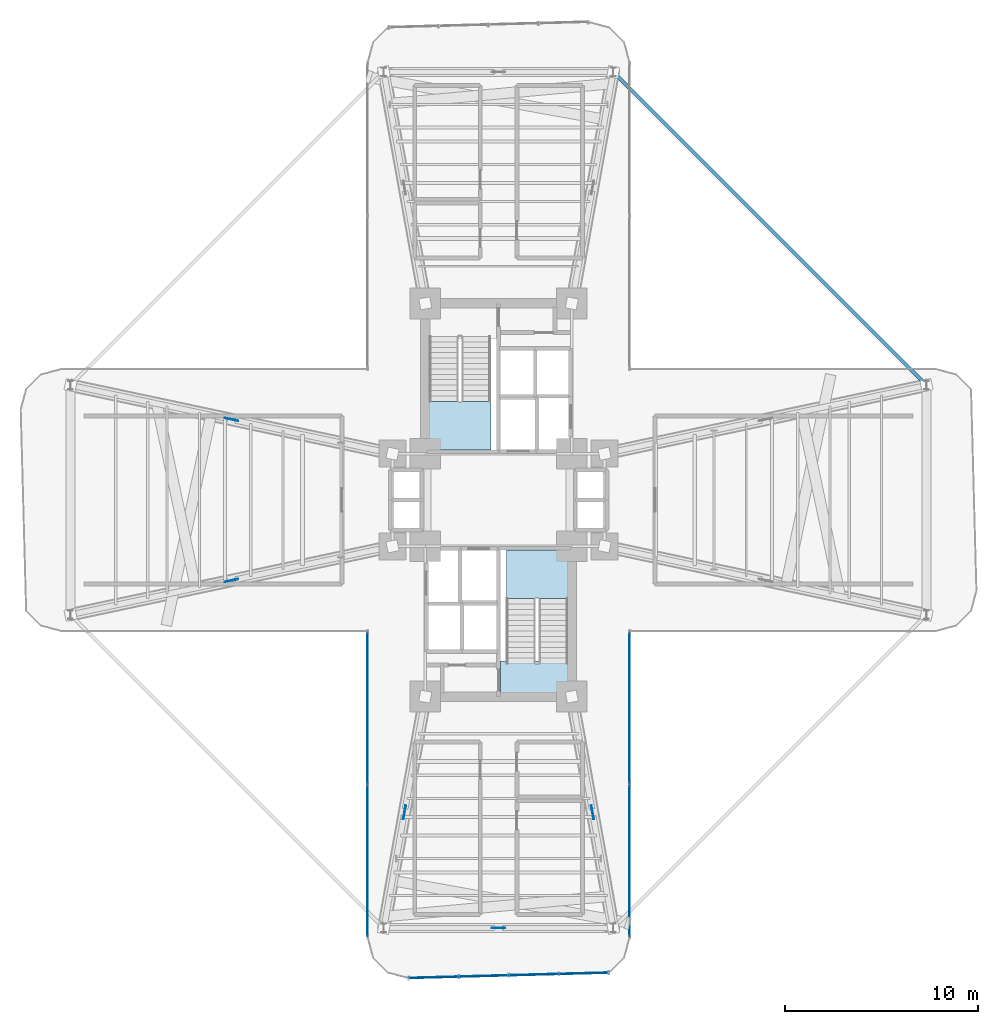
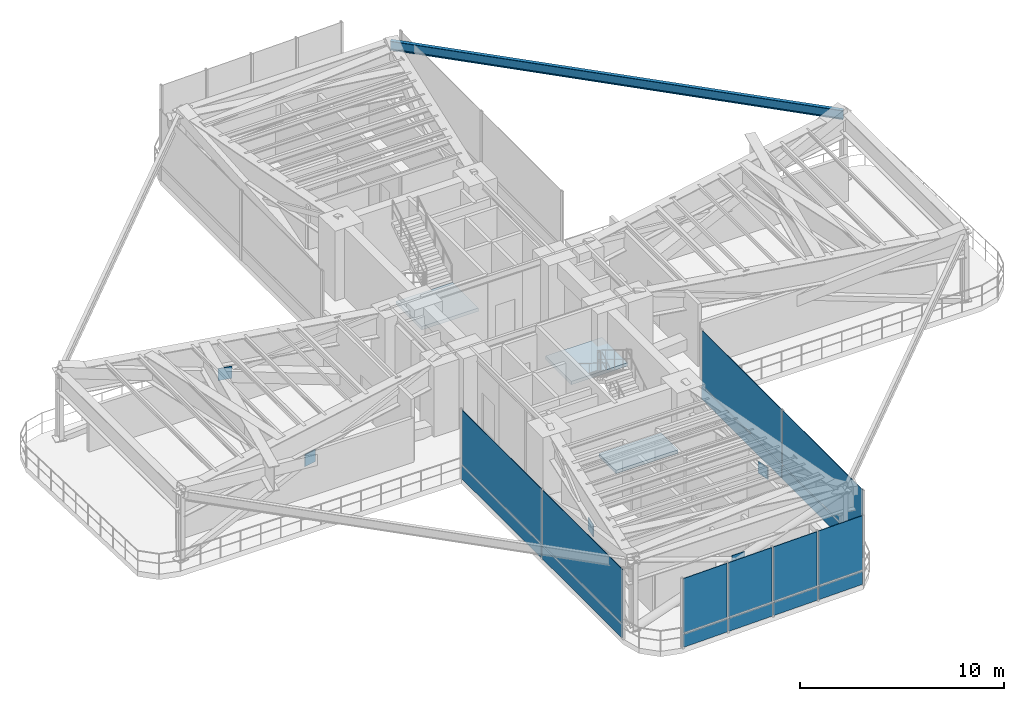
# One storey, part 9 of 18: 21 plates, 3 slabs, 1 beam, 5 elements without a shape of their own.
"""IFC4 building model written with IfcOpenShell, lengths in metres."""

from ifc_helpers import new_model, si_unit, direction, frame, origin, origin_2d, place, context, subcontext, project, spatial, polyline, rectangle, i_section, outline, extrude, source, transform, mapped, material, layer, layer_set, material_profile, profile_set, type_object, element, aggregate, save


model = new_model("IFC4")

# Units and contexts
model_context = context("Model", 3, precision=1e-05, world=origin(), true_north=direction((0.0, 1.0)))
body_context = subcontext(model_context, "Body", "Model", "MODEL_VIEW")
ifc_project = project(units=[si_unit("LENGTHUNIT", "METRE"), si_unit("AREAUNIT", "SQUARE_METRE"), si_unit("VOLUMEUNIT", "CUBIC_METRE"), si_unit("PLANEANGLEUNIT", "RADIAN"), si_unit("MASSUNIT", "GRAM", prefix="KILO")], contexts=[model_context])

# Site, building, storey
site_placement = place(None, origin())
site = spatial("IfcSite", under=ifc_project, at=site_placement, CompositionType="ELEMENT")
building_placement = place(site_placement, origin())
building = spatial("IfcBuilding", under=site, at=building_placement, Name="Sahyath Konkavel Grand Hotel", CompositionType="ELEMENT")
storey_placement = place(building_placement, frame((0.0, 0.0, 74.5)))
storey = spatial("IfcBuildingStorey", under=building, at=storey_placement, Name="L20", CompositionType="ELEMENT", Elevation=74.5)

# Beam
ifc_material_1 = material(Name="Steel E350", Category="steel")
ifc_material_profile = material_profile(ifc_material_1, i_section(OverallWidth=0.18994140625, OverallDepth=0.550048828125, WebThickness=0.01123046875, FlangeThickness=0.019287109375, FilletRadius=0.01806640625, at=origin_2d()), Name="ISMB 550")
ifc_profile_set = profile_set([ifc_material_profile], Name="Steel E350")
beam_type = type_object("IfcBeamType", Name="BM-ISMB550", PredefinedType="BEAM", material=ifc_profile_set)
shared_shape_1 = source(origin(), body_context, "Body", "SweptSolid", [
    extrude(i_section(OverallWidth=0.18994140625, OverallDepth=0.550048828125, WebThickness=0.01123046875, FlangeThickness=0.019287109375, FilletRadius=0.01806640625, at=origin_2d()), origin(), (0.0, 0.0, 1.0), 22.98095703125),
])
beam_placement = place(storey_placement, frame((22.199951171875, 5.949951171875, 3.905029296875), z_axis=(-0.707106781187, 0.707106781187, 0.0), x_axis=(-0.707106781187, -0.707106781187, 0.0)))
element("IfcBeam", 1, at=beam_placement, inside=storey, type_object=beam_type, Name="L20 Re-Entrant Tie Beam NE", PredefinedType="BEAM", context=body_context, shape_type="MappedRepresentation", body=[
    mapped(shared_shape_1, transform((0.0, 0.0, 0.0), scale=1.0)),
])

# Stair, slab
ifc_material_2 = material(Name="Concrete C40/50", Category="concrete")
stair_type = type_object("IfcStairType", Name="STR-ST16-450", PredefinedType="HALF_TURN_STAIR", material=ifc_material_2)
stair_1_placement = place(storey_placement, origin())
stair_1 = element("IfcStair", 2, at=stair_1_placement, inside=storey, type_object=stair_type, Name="L20 North Core Smokeproof Exit Stair ST-1", PredefinedType="HALF_TURN_STAIR")
ifc_layer_1 = layer(ifc_material_2, 0.199951171875)
ifc_layer_set_1 = layer_set([ifc_layer_1], Name="Concrete C40/50")
slab_type = type_object("IfcSlabType", Name="SLB-STAIR-LND", PredefinedType="LANDING", material=ifc_layer_set_1)
slab_1_placement = place(storey_placement, frame((0.0, 0.0, 2.050048828125)))
slab_1 = element("IfcSlab", 3, at=slab_1_placement, type_object=slab_type, Name="ST-1 landing 1", PredefinedType="LANDING", context=body_context, shape_type="SweptSolid", body=[
    extrude(outline(polyline([(-3.60009765625, 5.1201171875), (-3.60009765625, 2.60009765625), (-0.39990234375, 2.60009765625), (-0.39990234375, 5.1201171875), (-3.60009765625, 5.1201171875)])), origin(), (0.0, 0.0, 1.0), 0.199951171875),
])
aggregate(stair_1, [slab_1])

stair_2_placement = place(storey_placement, origin())
stair_2 = element("IfcStair", 4, at=stair_2_placement, inside=storey, type_object=stair_type, Name="L20 South Core Smokeproof Exit Stair ST-2", PredefinedType="HALF_TURN_STAIR")
slab_2_placement = place(storey_placement, frame((0.0, 0.0, 2.050048828125)))
slab_2 = element("IfcSlab", 5, at=slab_2_placement, type_object=slab_type, Name="ST-2 landing 1", PredefinedType="LANDING", context=body_context, shape_type="SweptSolid", body=[
    extrude(outline(polyline([(3.60009765625, -5.1201171875), (3.60009765625, -2.60009765625), (0.39990234375, -2.60009765625), (0.39990234375, -5.1201171875), (3.60009765625, -5.1201171875)])), origin(), (0.0, 0.0, 1.0), 0.199951171875),
])
aggregate(stair_2, [slab_2])

# Slab
slab_3_placement = place(storey_placement, frame((0.0, 0.0, -0.199951171875)))
element("IfcSlab", 6, at=slab_3_placement, inside=storey, type_object=slab_type, Name="L20 Stair ST-2 Floor Landing Slab", PredefinedType="LANDING", context=body_context, shape_type="SweptSolid", body=[
    extrude(outline(polyline([(0.10009765625, -10.02001953125), (3.6201171875, -10.02001953125), (3.6201171875, -8.35009765625), (0.10009765625, -8.35009765625), (0.10009765625, -10.02001953125)])), origin(), (0.0, 0.0, 1.0), 0.199951171875),
])

# Plates
ifc_material_3 = material(Name="Steel E450", Category="steel")
plate_type_1 = type_object("IfcPlateType", Name="GUSSET-NODE-40", PredefinedType="USERDEFINED", material=ifc_material_3)
shared_shape_2 = source(origin(), body_context, "Body", "SweptSolid", [
    extrude(rectangle(XDim=0.719970703125, YDim=0.0400390625, at=origin_2d()), origin(), (0.0, 0.0, 1.0), 0.719970703125),
])
for number, where, z_axis, x_axis, name in (
    (7, (-13.85009765625, 4.175048828125, 1.72998046875), (0.0, 0.0, 1.0), (-0.978143971841, 0.207928762682, 0.0), "L20 Core Outrigger Truss WA X-Crossing Node Gusset Plate"),
    (8, (-13.85009765625, -4.175048828125, 1.72998046875), (0.0, 0.0, 1.0), (-0.978143971841, -0.207928762682, 0.0), "L20 Core Outrigger Truss WB X-Crossing Node Gusset Plate"),
    (9, (-4.875, -16.199951171875, 1.72998046875), (0.0, 0.0, 1.0), (-0.176363239745, -0.984325153426, 0.0), "L20 Core Outrigger Truss SA X-Crossing Node Gusset Plate"),
    (10, (4.875, -16.199951171875, 1.72998046875), (0.0, 0.0, 1.0), (0.176363239745, -0.984325153426, 0.0), "L20 Core Outrigger Truss SB X-Crossing Node Gusset Plate"),
    (11, (0.0, -22.199951171875, 1.72998046875), (0.0, 0.0, 1.0), (1.0, 0.0, 0.0), "L20 Perimeter Belt Truss TIP-S X-Crossing Node Gusset Plate"),
):
    element("IfcPlate", number, at=place(storey_placement, frame(where, z_axis=z_axis, x_axis=x_axis)), inside=storey, type_object=plate_type_1, Name=name, ObjectType="GUSSET_PLATE", PredefinedType="USERDEFINED", context=body_context, shape_type="MappedRepresentation", body=[
        mapped(shared_shape_2, transform((0.0, 0.0, 0.0), scale=1.0)),
    ])

# Curtain wall, plates
ifc_material_4 = material(Name="Anodised Bronze Aluminium & Low-E Glazing", Category="aluminium")
curtain_wall_type = type_object("IfcCurtainWallType", Name="CW-SKYLOBBY", PredefinedType="NOTDEFINED", material=ifc_material_4)
curtain_wall_1_placement = place(storey_placement, origin())
curtain_wall_1 = element("IfcCurtainWall", 12, at=curtain_wall_1_placement, inside=storey, type_object=curtain_wall_type, Name="L20 Unitised Curtain Wall RF24", PredefinedType="NOTDEFINED")
ifc_material_5 = material(Name="Warm Buff Sandstone Cladding", Category="masonry")
ifc_layer_2 = layer(ifc_material_5, 0.074951171875)
ifc_layer_set_2 = layer_set([ifc_layer_2], Name="Warm Buff Sandstone Cladding")
plate_type_2 = type_object("IfcPlateType", Name="PNL-SPANDREL-STONE", PredefinedType="SHEET", material=ifc_layer_set_2)
shared_shape_3 = source(origin(), body_context, "Body", "SweptSolid", [
    extrude(rectangle(XDim=7.830078125, YDim=0.074951171875, at=origin_2d()), origin(), (0.0, 0.0, 1.0), 0.77001953125),
])
plate_1_placement = place(storey_placement, frame((-6.800048828125, -10.794921875, 0.0400390625), z_axis=(0.0, 0.0, 1.0), x_axis=(0.0, -1.0, 0.0)))
plate_1 = element("IfcPlate", 13, at=plate_1_placement, type_object=plate_type_2, Name="L20 Sandstone Relief Spandrel Panel RF24-0", PredefinedType="SHEET", context=body_context, shape_type="MappedRepresentation", body=[
    mapped(shared_shape_3, transform((0.0, 0.0, 0.0), scale=1.0)),
])
plate_2_placement = place(storey_placement, frame((-6.800048828125, -18.705078125, 0.0400390625), z_axis=(0.0, 0.0, 1.0), x_axis=(0.0, -1.0, 0.0)))
plate_2 = element("IfcPlate", 14, at=plate_2_placement, type_object=plate_type_2, Name="L20 Sandstone Relief Spandrel Panel RF24-1", PredefinedType="SHEET", context=body_context, shape_type="MappedRepresentation", body=[
    mapped(shared_shape_3, transform((0.0, 0.0, 0.0), scale=1.0)),
])

curtain_wall_2_placement = place(storey_placement, origin())
curtain_wall_2 = element("IfcCurtainWall", 15, at=curtain_wall_2_placement, inside=storey, type_object=curtain_wall_type, Name="L20 Unitised Curtain Wall RF31", PredefinedType="NOTDEFINED")
plate_3_placement = place(storey_placement, frame((6.800048828125, -18.705078125, 0.0400390625), z_axis=(0.0, 0.0, 1.0), x_axis=(0.0, 1.0, 0.0)))
plate_3 = element("IfcPlate", 16, at=plate_3_placement, type_object=plate_type_2, Name="L20 Sandstone Relief Spandrel Panel RF31-0", PredefinedType="SHEET", context=body_context, shape_type="MappedRepresentation", body=[
    mapped(shared_shape_3, transform((0.0, 0.0, 0.0), scale=1.0)),
])
plate_4_placement = place(storey_placement, frame((6.800048828125, -10.794921875, 0.0400390625), z_axis=(0.0, 0.0, 1.0), x_axis=(0.0, 1.0, 0.0)))
plate_4 = element("IfcPlate", 17, at=plate_4_placement, type_object=plate_type_2, Name="L20 Sandstone Relief Spandrel Panel RF31-1", PredefinedType="SHEET", context=body_context, shape_type="MappedRepresentation", body=[
    mapped(shared_shape_3, transform((0.0, 0.0, 0.0), scale=1.0)),
])

curtain_wall_3_placement = place(storey_placement, origin())
curtain_wall_3 = element("IfcCurtainWall", 18, at=curtain_wall_3_placement, inside=storey, type_object=curtain_wall_type, Name="L20 Unitised Curtain Wall RF28", PredefinedType="NOTDEFINED")
shared_shape_4 = source(origin(), body_context, "Body", "SweptSolid", [
    extrude(rectangle(XDim=2.513427734375, YDim=0.074951171875, at=origin_2d()), origin(), (0.0, 0.0, 1.0), 0.77001953125),
])
plate_5_placement = place(storey_placement, frame((-3.36376953125, -24.763916015625, 0.0400390625), z_axis=(0.0, 0.0, 1.0), x_axis=(0.999637867691, 0.026909728301, 0.0)))
plate_5 = element("IfcPlate", 19, at=plate_5_placement, type_object=plate_type_2, Name="L20 Sandstone Relief Spandrel Panel RF28-0", PredefinedType="SHEET", context=body_context, shape_type="MappedRepresentation", body=[
    mapped(shared_shape_4, transform((0.0, 0.0, 0.0), scale=1.0)),
])
plate_6_placement = place(storey_placement, frame((-0.771240234375, -24.694091796875, 0.0400390625), z_axis=(0.0, 0.0, 1.0), x_axis=(0.999637867691, 0.026909728301, 0.0)))
plate_6 = element("IfcPlate", 20, at=plate_6_placement, type_object=plate_type_2, Name="L20 Sandstone Relief Spandrel Panel RF28-1", PredefinedType="SHEET", context=body_context, shape_type="MappedRepresentation", body=[
    mapped(shared_shape_4, transform((0.0, 0.0, 0.0), scale=1.0)),
])
plate_7_placement = place(storey_placement, frame((1.8212890625, -24.62451171875, 0.0400390625), z_axis=(0.0, 0.0, 1.0), x_axis=(0.999637867691, 0.026909728301, 0.0)))
plate_7 = element("IfcPlate", 21, at=plate_7_placement, type_object=plate_type_2, Name="L20 Sandstone Relief Spandrel Panel RF28-2", PredefinedType="SHEET", context=body_context, shape_type="MappedRepresentation", body=[
    mapped(shared_shape_4, transform((0.0, 0.0, 0.0), scale=1.0)),
])
plate_8_placement = place(storey_placement, frame((4.413818359375, -24.5546875, 0.0400390625), z_axis=(0.0, 0.0, 1.0), x_axis=(0.999637867691, 0.026909728301, 0.0)))
plate_8 = element("IfcPlate", 22, at=plate_8_placement, type_object=plate_type_2, Name="L20 Sandstone Relief Spandrel Panel RF28-3", PredefinedType="SHEET", context=body_context, shape_type="MappedRepresentation", body=[
    mapped(shared_shape_4, transform((0.0, 0.0, 0.0), scale=1.0)),
])

# Plate
ifc_material_6 = material(Name="Warm Buff Sandstone Perforated Cladding", Category="masonry")
ifc_layer_3 = layer(ifc_material_6, 0.090087890625)
ifc_layer_set_3 = layer_set([ifc_layer_3], Name="Warm Buff Sandstone Perforated Cladding")
plate_type_3 = type_object("IfcPlateType", Name="PNL-CROWN-LOUVRE", PredefinedType="SHEET", material=ifc_layer_set_3)
shared_shape_5 = source(origin(), body_context, "Body", "SweptSolid", [
    extrude(rectangle(XDim=7.830078125, YDim=0.035888671875, at=origin_2d()), origin(), (0.0, 0.0, 1.0), 3.25),
])
plate_9_placement = place(storey_placement, frame((-6.800048828125, -10.794921875, 0.889892578125), z_axis=(0.0, 0.0, 1.0), x_axis=(0.0, -1.0, 0.0)))
plate_9 = element("IfcPlate", 23, at=plate_9_placement, type_object=plate_type_3, Name="L20 Acoustic Plant Louvre Screen RF24-0", PredefinedType="SHEET", context=body_context, shape_type="MappedRepresentation", body=[
    mapped(shared_shape_5, transform((0.0, 0.0, 0.0), scale=1.0)),
])

plate_10_placement = place(storey_placement, frame((-6.800048828125, -18.705078125, 0.889892578125), z_axis=(0.0, 0.0, 1.0), x_axis=(0.0, -1.0, 0.0)))
plate_10 = element("IfcPlate", 24, at=plate_10_placement, type_object=plate_type_3, Name="L20 Acoustic Plant Louvre Screen RF24-1", PredefinedType="SHEET", context=body_context, shape_type="MappedRepresentation", body=[
    mapped(shared_shape_5, transform((0.0, 0.0, 0.0), scale=1.0)),
])

aggregate(curtain_wall_1, [plate_1, plate_9, plate_2, plate_10])

plate_11_placement = place(storey_placement, frame((6.800048828125, -18.705078125, 0.889892578125), z_axis=(0.0, 0.0, 1.0), x_axis=(0.0, 1.0, 0.0)))
plate_11 = element("IfcPlate", 25, at=plate_11_placement, type_object=plate_type_3, Name="L20 Acoustic Plant Louvre Screen RF31-0", PredefinedType="SHEET", context=body_context, shape_type="MappedRepresentation", body=[
    mapped(shared_shape_5, transform((0.0, 0.0, 0.0), scale=1.0)),
])

plate_12_placement = place(storey_placement, frame((6.800048828125, -10.794921875, 0.889892578125), z_axis=(0.0, 0.0, 1.0), x_axis=(0.0, 1.0, 0.0)))
plate_12 = element("IfcPlate", 26, at=plate_12_placement, type_object=plate_type_3, Name="L20 Acoustic Plant Louvre Screen RF31-1", PredefinedType="SHEET", context=body_context, shape_type="MappedRepresentation", body=[
    mapped(shared_shape_5, transform((0.0, 0.0, 0.0), scale=1.0)),
])

aggregate(curtain_wall_2, [plate_3, plate_11, plate_4, plate_12])

shared_shape_6 = source(origin(), body_context, "Body", "SweptSolid", [
    extrude(rectangle(XDim=2.513427734375, YDim=0.035888671875, at=origin_2d()), origin(), (0.0, 0.0, 1.0), 3.25),
])
plate_13_placement = place(storey_placement, frame((-3.36376953125, -24.763916015625, 0.889892578125), z_axis=(0.0, 0.0, 1.0), x_axis=(0.999637867691, 0.026909728301, 0.0)))
plate_13 = element("IfcPlate", 27, at=plate_13_placement, type_object=plate_type_3, Name="L20 Acoustic Plant Louvre Screen RF28-0", PredefinedType="SHEET", context=body_context, shape_type="MappedRepresentation", body=[
    mapped(shared_shape_6, transform((0.0, 0.0, 0.0), scale=1.0)),
])

plate_14_placement = place(storey_placement, frame((-0.771240234375, -24.694091796875, 0.889892578125), z_axis=(0.0, 0.0, 1.0), x_axis=(0.999637867691, 0.026909728301, 0.0)))
plate_14 = element("IfcPlate", 28, at=plate_14_placement, type_object=plate_type_3, Name="L20 Acoustic Plant Louvre Screen RF28-1", PredefinedType="SHEET", context=body_context, shape_type="MappedRepresentation", body=[
    mapped(shared_shape_6, transform((0.0, 0.0, 0.0), scale=1.0)),
])

plate_15_placement = place(storey_placement, frame((1.8212890625, -24.62451171875, 0.889892578125), z_axis=(0.0, 0.0, 1.0), x_axis=(0.999637867691, 0.026909728301, 0.0)))
plate_15 = element("IfcPlate", 29, at=plate_15_placement, type_object=plate_type_3, Name="L20 Acoustic Plant Louvre Screen RF28-2", PredefinedType="SHEET", context=body_context, shape_type="MappedRepresentation", body=[
    mapped(shared_shape_6, transform((0.0, 0.0, 0.0), scale=1.0)),
])

plate_16_placement = place(storey_placement, frame((4.413818359375, -24.5546875, 0.889892578125), z_axis=(0.0, 0.0, 1.0), x_axis=(0.999637867691, 0.026909728301, 0.0)))
plate_16 = element("IfcPlate", 30, at=plate_16_placement, type_object=plate_type_3, Name="L20 Acoustic Plant Louvre Screen RF28-3", PredefinedType="SHEET", context=body_context, shape_type="MappedRepresentation", body=[
    mapped(shared_shape_6, transform((0.0, 0.0, 0.0), scale=1.0)),
])

aggregate(curtain_wall_3, [plate_5, plate_13, plate_6, plate_14, plate_7, plate_15, plate_8, plate_16])

save(model, "model.ifc")
